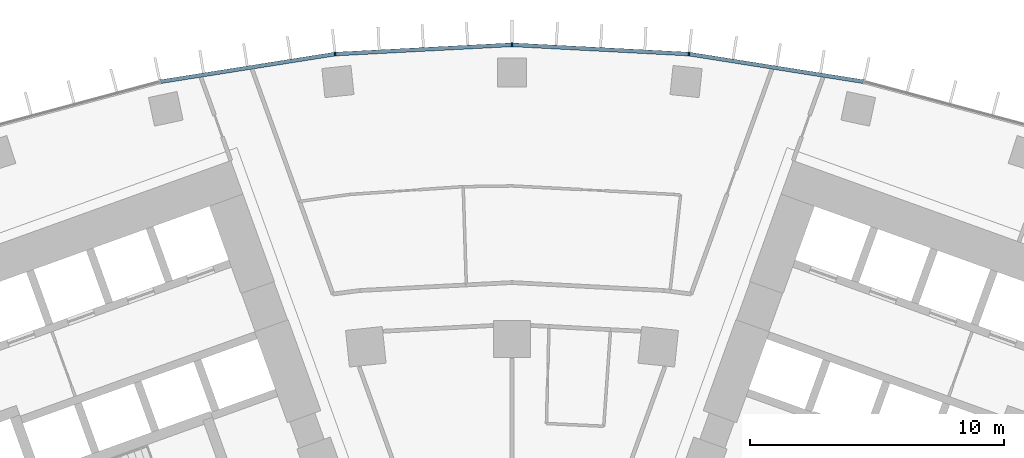
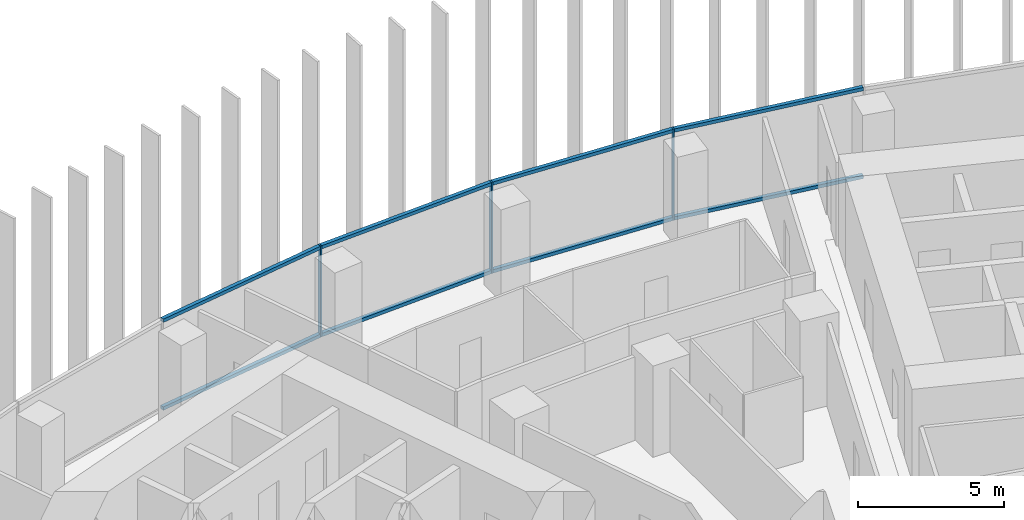
# One storey, part 8 of 23: 11 members, 1 element without a shape of its own.
"""IFC4 building model written with IfcOpenShell, lengths in metres."""

from ifc_helpers import new_model, si_unit, direction, frame, origin, origin_2d, place, context, subcontext, project, spatial, rectangle, extrude, material, layer, layer_set, material_profile, profile_set, type_object, element, aggregate, save


model = new_model("IFC4")

# Units and contexts
model_context = context("Model", 3, precision=1e-05, world=origin(), true_north=direction((0.0, 1.0)))
body_context = subcontext(model_context, "Body", "Model", "MODEL_VIEW")
ifc_project = project(units=[si_unit("LENGTHUNIT", "METRE"), si_unit("AREAUNIT", "SQUARE_METRE"), si_unit("VOLUMEUNIT", "CUBIC_METRE"), si_unit("PLANEANGLEUNIT", "RADIAN"), si_unit("MASSUNIT", "GRAM", prefix="KILO")], contexts=[model_context])

# Site, building, storey
site_placement = place(None, origin())
site = spatial("IfcSite", under=ifc_project, at=site_placement, CompositionType="ELEMENT")
building_placement = place(site_placement, origin())
building = spatial("IfcBuilding", under=site, at=building_placement, Name="Stone Belt Terrace Tower", CompositionType="ELEMENT")
storey_placement = place(building_placement, frame((0.0, 0.0, 98.39990234375)))
storey = spatial("IfcBuildingStorey", under=building, at=storey_placement, Name="L23", CompositionType="ELEMENT", Elevation=98.39990234375)

# Curtain wall, members
ifc_material = material(Name="Aluminium 6063-T6 anodised frame", Category="aluminium")
ifc_layer = layer(ifc_material, 0.14990234375)
ifc_layer_set = layer_set([ifc_layer], Name="CW-A unitised convex-face curtain wall")
curtain_wall_type = type_object("IfcCurtainWallType", Name="CW-A unitised convex-face curtain wall", PredefinedType="NOTDEFINED", material=ifc_layer_set)
curtain_wall_placement = place(storey_placement, origin())
curtain_wall = element("IfcCurtainWall", 1, at=curtain_wall_placement, inside=storey, type_object=curtain_wall_type, Name="CW-A convex face L23", PredefinedType="NOTDEFINED")
ifc_material_profile_1 = material_profile(ifc_material, rectangle(XDim=0.14990234375, YDim=0.06005859375, at=origin_2d()), Name="Aluminium 6063-T6 60x150")
ifc_profile_set_1 = profile_set([ifc_material_profile_1], Name="Aluminium 6063-T6 anodised frame")
member_type_1 = type_object("IfcMemberType", Name="CW-A mullion 60 x 150", PredefinedType="MULLION", material=ifc_profile_set_1)
member_1_placement = place(storey_placement, frame((6.958984375, 66.21044921875, 0.0), z_axis=(0.0, 0.0, 1.0), x_axis=(-0.104528463268, -0.994521895368, 0.0)))
member_1 = element("IfcMember", 2, at=member_1_placement, type_object=member_type_1, Name="CW-A mullion 9", PredefinedType="MULLION", context=body_context, shape_type="SweptSolid", body=[
    extrude(rectangle(XDim=0.14990234375, YDim=0.06005859375, at=origin_2d()), origin(), (0.0, 0.0, 1.0), 3.800048828125),
])
member_2_placement = place(storey_placement, frame((0.0, 66.5751953125, 0.0), z_axis=(0.0, 0.0, 1.0), x_axis=(0.0, -1.0, 0.0)))
member_2 = element("IfcMember", 3, at=member_2_placement, type_object=member_type_1, Name="CW-A mullion 10", PredefinedType="MULLION", context=body_context, shape_type="SweptSolid", body=[
    extrude(rectangle(XDim=0.14990234375, YDim=0.06005859375, at=origin_2d()), origin(), (0.0, 0.0, 1.0), 3.800048828125),
])
member_3_placement = place(storey_placement, frame((-6.958984375, 66.21044921875, 0.0), z_axis=(0.0, 0.0, 1.0), x_axis=(0.104528463268, -0.994521895368, 0.0)))
member_3 = element("IfcMember", 4, at=member_3_placement, type_object=member_type_1, Name="CW-A mullion 11", PredefinedType="MULLION", context=body_context, shape_type="SweptSolid", body=[
    extrude(rectangle(XDim=0.14990234375, YDim=0.06005859375, at=origin_2d()), origin(), (0.0, 0.0, 1.0), 3.800048828125),
])
ifc_material_profile_2 = material_profile(ifc_material, rectangle(XDim=0.14990234375, YDim=0.139892578125, at=origin_2d()), Name="Aluminium 6063-T6 150x140")
ifc_profile_set_2 = profile_set([ifc_material_profile_2], Name="Aluminium 6063-T6 anodised frame")
member_type_2 = type_object("IfcMemberType", Name="CW-A transom 140 x 150", PredefinedType="USERDEFINED", material=ifc_profile_set_2)
member_4_placement = place(storey_placement, frame((13.808349609375, 65.12548828125, 0.070068359375), z_axis=(-0.987687120531, 0.156442168027, 0.0), x_axis=(-0.156442168027, -0.987687120531, 0.0)))
member_4 = element("IfcMember", 5, at=member_4_placement, type_object=member_type_2, Name="CW-A transom 8.1", ObjectType="TRANSOM", PredefinedType="USERDEFINED", context=body_context, shape_type="SweptSolid", body=[
    extrude(rectangle(XDim=0.14990234375, YDim=0.139892578125, at=origin_2d()), origin(), (0.0, 0.0, 1.0), 6.90087890625),
])
member_5_placement = place(storey_placement, frame((13.808349609375, 65.12548828125, 3.72998046875), z_axis=(-0.987687120531, 0.156442168027, 0.0), x_axis=(-0.156442168027, -0.987687120531, 0.0)))
member_5 = element("IfcMember", 6, at=member_5_placement, type_object=member_type_2, Name="CW-A transom 8.2", ObjectType="TRANSOM", PredefinedType="USERDEFINED", context=body_context, shape_type="SweptSolid", body=[
    extrude(rectangle(XDim=0.14990234375, YDim=0.139892578125, at=origin_2d()), origin(), (0.0, 0.0, 1.0), 6.90087890625),
])
member_6_placement = place(storey_placement, frame((6.925048828125, 66.212158203125, 0.070068359375), z_axis=(-0.998630019135, 0.052326712899, 0.0), x_axis=(-0.052326712899, -0.998630019135, 0.0)))
member_6 = element("IfcMember", 7, at=member_6_placement, type_object=member_type_2, Name="CW-A transom 9.1", ObjectType="TRANSOM", PredefinedType="USERDEFINED", context=body_context, shape_type="SweptSolid", body=[
    extrude(rectangle(XDim=0.14990234375, YDim=0.139892578125, at=origin_2d()), origin(), (0.0, 0.0, 1.0), 6.900634765625),
])
member_7_placement = place(storey_placement, frame((6.925048828125, 66.212158203125, 3.72998046875), z_axis=(-0.998630019135, 0.052326712899, 0.0), x_axis=(-0.052326712899, -0.998630019135, 0.0)))
member_7 = element("IfcMember", 8, at=member_7_placement, type_object=member_type_2, Name="CW-A transom 9.2", ObjectType="TRANSOM", PredefinedType="USERDEFINED", context=body_context, shape_type="SweptSolid", body=[
    extrude(rectangle(XDim=0.14990234375, YDim=0.139892578125, at=origin_2d()), origin(), (0.0, 0.0, 1.0), 6.900634765625),
])
member_8_placement = place(storey_placement, frame((-0.033935546875, 66.5732421875, 0.070068359375), z_axis=(-0.998630019135, -0.052326712899, 0.0), x_axis=(0.052326712899, -0.998630019135, 0.0)))
member_8 = element("IfcMember", 9, at=member_8_placement, type_object=member_type_2, Name="CW-A transom 10.1", ObjectType="TRANSOM", PredefinedType="USERDEFINED", context=body_context, shape_type="SweptSolid", body=[
    extrude(rectangle(XDim=0.14990234375, YDim=0.139892578125, at=origin_2d()), origin(), (0.0, 0.0, 1.0), 6.900634765625),
])
member_9_placement = place(storey_placement, frame((-0.033935546875, 66.5732421875, 3.72998046875), z_axis=(-0.998630019135, -0.052326712899, 0.0), x_axis=(0.052326712899, -0.998630019135, 0.0)))
member_9 = element("IfcMember", 10, at=member_9_placement, type_object=member_type_2, Name="CW-A transom 10.2", ObjectType="TRANSOM", PredefinedType="USERDEFINED", context=body_context, shape_type="SweptSolid", body=[
    extrude(rectangle(XDim=0.14990234375, YDim=0.139892578125, at=origin_2d()), origin(), (0.0, 0.0, 1.0), 6.900634765625),
])
member_10_placement = place(storey_placement, frame((-6.992431640625, 66.205078125, 0.070068359375), z_axis=(-0.987687120531, -0.156442168027, 0.0), x_axis=(0.156442168027, -0.987687120531, 0.0)))
member_10 = element("IfcMember", 11, at=member_10_placement, type_object=member_type_2, Name="CW-A transom 11.1", ObjectType="TRANSOM", PredefinedType="USERDEFINED", context=body_context, shape_type="SweptSolid", body=[
    extrude(rectangle(XDim=0.14990234375, YDim=0.139892578125, at=origin_2d()), origin(), (0.0, 0.0, 1.0), 6.90087890625),
])
member_11_placement = place(storey_placement, frame((-6.992431640625, 66.205078125, 3.72998046875), z_axis=(-0.987687120531, -0.156442168027, 0.0), x_axis=(0.156442168027, -0.987687120531, 0.0)))
member_11 = element("IfcMember", 12, at=member_11_placement, type_object=member_type_2, Name="CW-A transom 11.2", ObjectType="TRANSOM", PredefinedType="USERDEFINED", context=body_context, shape_type="SweptSolid", body=[
    extrude(rectangle(XDim=0.14990234375, YDim=0.139892578125, at=origin_2d()), origin(), (0.0, 0.0, 1.0), 6.90087890625),
])
aggregate(curtain_wall, [member_1, member_2, member_3, member_4, member_5, member_6, member_7, member_8, member_9, member_10, member_11])

save(model, "model.ifc")
